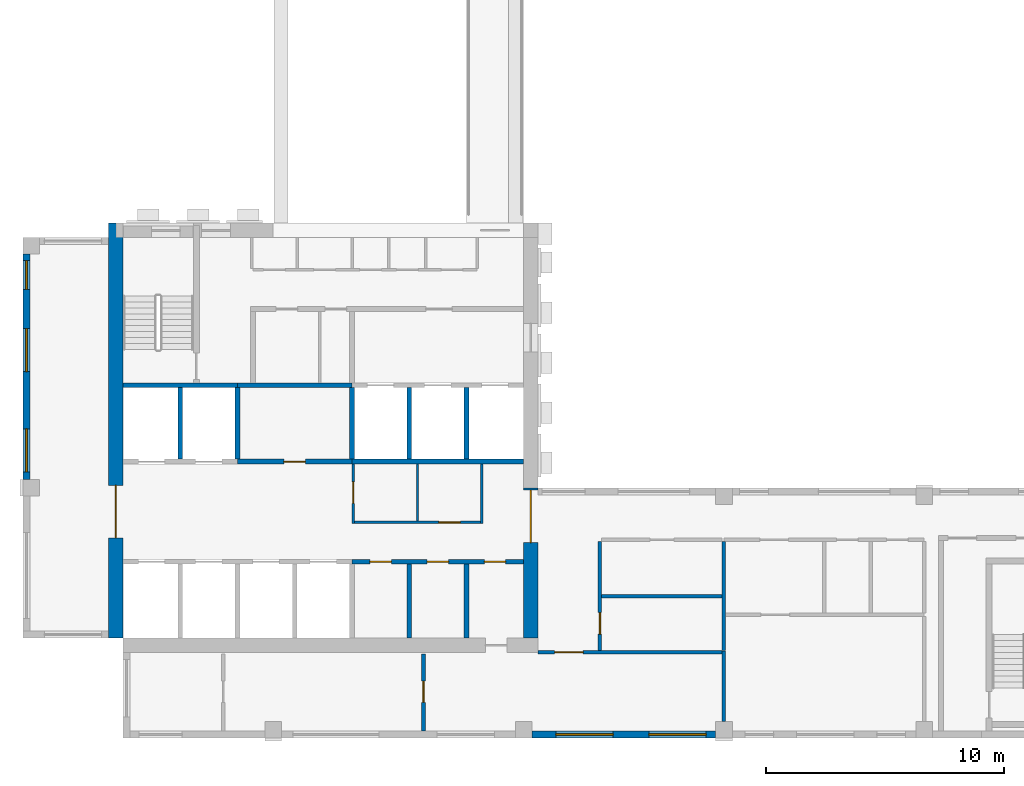
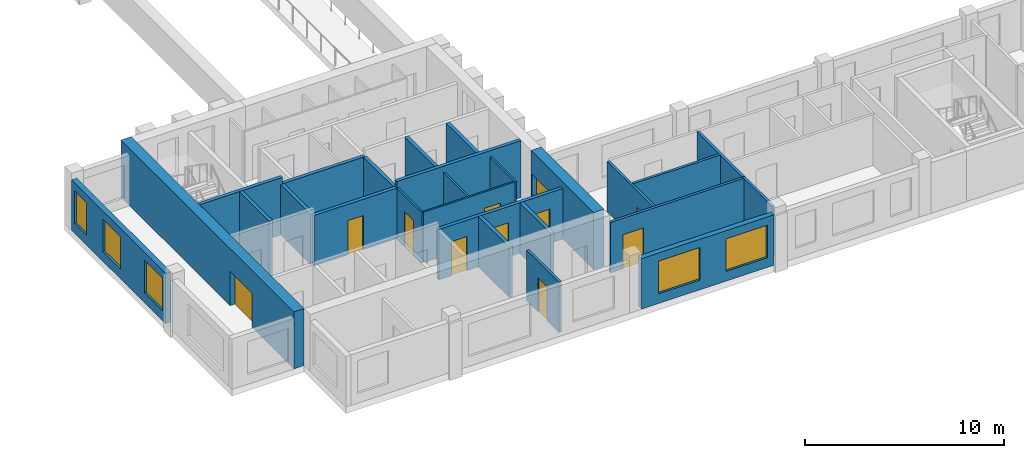
# One storey, part 2 of 9: 26 walls, 11 doors, 5 windows, 16 openings.
"""IFC4 building model written with IfcOpenShell, lengths in metres."""

from ifc_helpers import new_model, si_unit, direction, frame, frame_2d, origin, place, context, subcontext, project, spatial, rectangle, extrude, source, transform, mapped, material, layer, layer_set, type_object, element, fill, save


model = new_model("IFC4")

# Units and contexts
model_context = context("Model", 3, precision=1e-05, world=origin(), true_north=direction((0.0, 1.0)))
body_context = subcontext(model_context, "Body", "Model", "MODEL_VIEW")
ifc_project = project(units=[si_unit("LENGTHUNIT", "METRE"), si_unit("AREAUNIT", "SQUARE_METRE"), si_unit("VOLUMEUNIT", "CUBIC_METRE"), si_unit("PLANEANGLEUNIT", "RADIAN"), si_unit("MASSUNIT", "GRAM", prefix="KILO")], contexts=[model_context])

# Site, building, storey
site_placement = place(None, origin())
site = spatial("IfcSite", under=ifc_project, at=site_placement, CompositionType="ELEMENT")
building_placement = place(site_placement, origin())
building = spatial("IfcBuilding", under=site, at=building_placement, Name="Aurelian Terraces", CompositionType="ELEMENT")
storey_placement = place(building_placement, frame((0.0, 0.0, 323.0)))
storey = spatial("IfcBuildingStorey", under=building, at=storey_placement, Name="L75", CompositionType="ELEMENT", Elevation=323.0)

# Wall, opening, door
ifc_material_1 = material(Name="Concrete fc' 55 MPa", Category="concrete")
ifc_layer_1 = layer(ifc_material_1, 0.6)
ifc_layer_set_1 = layer_set([ifc_layer_1], Name="CORE WALL 600 FC55")
wall_type_1 = type_object("IfcWallType", Name="CORE WALL 600 FC55", PredefinedType="SHEAR", material=ifc_layer_set_1)
shared_shape_1 = source(origin(), body_context, "Body", "SweptSolid", [
    extrude(rectangle(XDim=17.4, YDim=0.6, at=frame_2d((8.7, 0.0))), origin(), (0.0, 0.0, 1.0), 3.5),
])
wall_1_placement = place(storey_placement, frame((3.9, 4.2, 0.0), z_axis=(0.0, 0.0, 1.0), x_axis=(0.0, 1.0, 0.0)))
wall_1 = element("IfcWall", 1, at=wall_1_placement, inside=storey, type_object=wall_type_1, Name="Core wall W L75", PredefinedType="SHEAR", context=body_context, shape_type="MappedRepresentation", body=[
    mapped(shared_shape_1, transform((0.0, 0.0, 0.0), scale=1.0)),
])
shared_shape_2 = source(origin(), body_context, "Body", "SweptSolid", [
    extrude(rectangle(XDim=2.2, YDim=2.1, at=frame_2d((1.1, 1.05))), frame((0.0, 0.31, 0.0), z_axis=(0.0, -1.0, 0.0), x_axis=(1.0, 0.0, 0.0)), (0.0, 0.0, 1.0), 0.62),
])
opening_1_placement = place(wall_1_placement, frame((4.2, 0.0, 0.0)))
opening_1 = element("IfcOpeningElement", 2, at=opening_1_placement, cuts=wall_1, Name="Opening 67831", PredefinedType="OPENING", context=body_context, shape_type="MappedRepresentation", body=[
    mapped(shared_shape_2, transform((0.0, 0.0, 0.0), scale=1.0)),
])
ifc_material_2 = material(Name="Steel door leaf", Category="steel")
door_type_1 = type_object("IfcDoorType", Name="Core double door 2200x2100", OperationType="DOUBLE_DOOR_SINGLE_SWING", PredefinedType="DOOR", material=ifc_material_2)
shared_shape_3 = source(origin(), body_context, "Body", "SweptSolid", [
    extrude(rectangle(XDim=2.2, YDim=2.1, at=frame_2d((1.1, 1.05))), frame((0.0, 0.025, 0.0), z_axis=(0.0, -1.0, 0.0), x_axis=(1.0, 0.0, 0.0)), (0.0, 0.0, 1.0), 0.05),
])
door_1_placement = place(opening_1_placement, origin())
door_1 = element("IfcDoor", 3, at=door_1_placement, inside=storey, type_object=door_type_1, Name="Core door 67831", OperationType="DOUBLE_DOOR_SINGLE_SWING", OverallHeight=2.1, OverallWidth=2.2, PredefinedType="DOOR", context=body_context, shape_type="MappedRepresentation", body=[
    mapped(shared_shape_3, transform((0.0, 0.0, 0.0), scale=1.0)),
])
fill(opening_1, door_1)

shared_shape_4 = source(origin(), body_context, "Body", "SweptSolid", [
    extrude(rectangle(XDim=6.3, YDim=0.6, at=frame_2d((3.15, 0.0))), origin(), (0.0, 0.0, 1.0), 3.5),
])
wall_2_placement = place(storey_placement, frame((21.3, 4.2, 0.0), z_axis=(0.0, 0.0, 1.0), x_axis=(0.0, 1.0, 0.0)))
wall_2 = element("IfcWall", 4, at=wall_2_placement, inside=storey, type_object=wall_type_1, Name="Core wall E L75", PredefinedType="SHEAR", context=body_context, shape_type="MappedRepresentation", body=[
    mapped(shared_shape_4, transform((0.0, 0.0, 0.0), scale=1.0)),
])
opening_2_placement = place(wall_2_placement, frame((4.0, 0.0, 0.0)))
opening_2 = element("IfcOpeningElement", 5, at=opening_2_placement, cuts=wall_2, Name="Opening 67830", PredefinedType="OPENING", context=body_context, shape_type="MappedRepresentation", body=[
    mapped(shared_shape_2, transform((0.0, 0.0, 0.0), scale=1.0)),
])
door_2_placement = place(opening_2_placement, origin())
door_2 = element("IfcDoor", 6, at=door_2_placement, inside=storey, type_object=door_type_1, Name="Core door 67830", OperationType="DOUBLE_DOOR_SINGLE_SWING", OverallHeight=2.1, OverallWidth=2.2, PredefinedType="DOOR", context=body_context, shape_type="MappedRepresentation", body=[
    mapped(shared_shape_3, transform((0.0, 0.0, 0.0), scale=1.0)),
])
fill(opening_2, door_2)

# Wall, openings, windows
ifc_material_3 = material(Name="Terracotta rainscreen cladding", Category="masonry")
ifc_layer_2 = layer(ifc_material_3, 0.3)
ifc_layer_set_2 = layer_set([ifc_layer_2], Name="EW-300")
wall_type_2 = type_object("IfcWallType", Name="EW-300", PredefinedType="STANDARD", material=ifc_layer_set_2)
shared_shape_5 = source(origin(), body_context, "Body", "SweptSolid", [
    extrude(rectangle(XDim=7.7, YDim=0.3, at=frame_2d((3.85, 0.0))), origin(), (0.0, 0.0, 1.0), 3.1),
])
wall_3_placement = place(storey_placement, frame((21.35, 0.15, 0.0), z_axis=(0.0, 0.0, 1.0), x_axis=(1.0, 0.0, 0.0)))
wall_3 = element("IfcWall", 7, at=wall_3_placement, inside=storey, type_object=wall_type_2, Name="External wall L75 F01.3", PredefinedType="STANDARD", context=body_context, shape_type="MappedRepresentation", body=[
    mapped(shared_shape_5, transform((0.0, 0.0, 0.0), scale=1.0)),
])
shared_shape_6 = source(origin(), body_context, "Body", "SweptSolid", [
    extrude(rectangle(XDim=2.4, YDim=2.0, at=frame_2d((1.2, 1.0))), frame((0.0, 0.16, 0.0), z_axis=(0.0, -1.0, 0.0), x_axis=(1.0, 0.0, 0.0)), (0.0, 0.0, 1.0), 0.32),
])
opening_3_placement = place(wall_3_placement, frame((1.0, 0.0, 0.6)))
opening_3 = element("IfcOpeningElement", 8, at=opening_3_placement, cuts=wall_3, Name="Opening W2420", PredefinedType="OPENING", context=body_context, shape_type="MappedRepresentation", body=[
    mapped(shared_shape_6, transform((0.0, 0.0, 0.0), scale=1.0)),
])
opening_4_placement = place(wall_3_placement, frame((4.9, 0.0, 0.6)))
opening_4 = element("IfcOpeningElement", 9, at=opening_4_placement, cuts=wall_3, Name="Opening W2420", PredefinedType="OPENING", context=body_context, shape_type="MappedRepresentation", body=[
    mapped(shared_shape_6, transform((0.0, 0.0, 0.0), scale=1.0)),
])
ifc_material_4 = material(Name="Clear glazing", Category="glass")
window_type_1 = type_object("IfcWindowType", Name="W-2400x2000", PartitioningType="SINGLE_PANEL", PredefinedType="WINDOW", material=ifc_material_4)
shared_shape_7 = source(origin(), body_context, "Body", "SweptSolid", [
    extrude(rectangle(XDim=2.4, YDim=2.0, at=frame_2d((1.2, 1.0))), frame((0.0, 0.03, 0.0), z_axis=(0.0, -1.0, 0.0), x_axis=(1.0, 0.0, 0.0)), (0.0, 0.0, 1.0), 0.06),
])
window_1_placement = place(opening_3_placement, origin())
window_1 = element("IfcWindow", 10, at=window_1_placement, inside=storey, type_object=window_type_1, Name="Window L75 L75-F01-03-1", OverallHeight=2.0, OverallWidth=2.4, PartitioningType="SINGLE_PANEL", PredefinedType="WINDOW", context=body_context, shape_type="MappedRepresentation", body=[
    mapped(shared_shape_7, transform((0.0, 0.0, 0.0), scale=1.0)),
])
fill(opening_3, window_1)
window_2_placement = place(opening_4_placement, origin())
window_2 = element("IfcWindow", 11, at=window_2_placement, inside=storey, type_object=window_type_1, Name="Window L75 L75-F01-03-2", OverallHeight=2.0, OverallWidth=2.4, PartitioningType="SINGLE_PANEL", PredefinedType="WINDOW", context=body_context, shape_type="MappedRepresentation", body=[
    mapped(shared_shape_7, transform((0.0, 0.0, 0.0), scale=1.0)),
])
fill(opening_4, window_2)

shared_shape_8 = source(origin(), body_context, "Body", "SweptSolid", [
    extrude(rectangle(XDim=9.45, YDim=0.3, at=frame_2d((4.725, 0.0))), origin(), (0.0, 0.0, 1.0), 3.1),
])
wall_4_placement = place(storey_placement, frame((0.15, 20.3, 0.0), z_axis=(0.0, 0.0, 1.0), x_axis=(0.0, -1.0, 0.0)))
wall_4 = element("IfcWall", 12, at=wall_4_placement, inside=storey, type_object=wall_type_2, Name="External wall L75 F12.18", PredefinedType="STANDARD", context=body_context, shape_type="MappedRepresentation", body=[
    mapped(shared_shape_8, transform((0.0, 0.0, 0.0), scale=1.0)),
])
shared_shape_9 = source(origin(), body_context, "Body", "SweptSolid", [
    extrude(rectangle(XDim=1.2, YDim=2.0, at=frame_2d((0.6, 1.0))), frame((0.0, 0.16, 0.0), z_axis=(0.0, -1.0, 0.0), x_axis=(1.0, 0.0, 0.0)), (0.0, 0.0, 1.0), 0.32),
])
opening_5_placement = place(wall_4_placement, frame((0.275, 0.0, 0.6)))
opening_5 = element("IfcOpeningElement", 13, at=opening_5_placement, cuts=wall_4, Name="Opening W1220", PredefinedType="OPENING", context=body_context, shape_type="MappedRepresentation", body=[
    mapped(shared_shape_9, transform((0.0, 0.0, 0.0), scale=1.0)),
])
shared_shape_10 = source(origin(), body_context, "Body", "SweptSolid", [
    extrude(rectangle(XDim=1.8, YDim=2.0, at=frame_2d((0.9, 1.0))), frame((0.0, 0.16, 0.0), z_axis=(0.0, -1.0, 0.0), x_axis=(1.0, 0.0, 0.0)), (0.0, 0.0, 1.0), 0.32),
])
opening_6_placement = place(wall_4_placement, frame((3.125, 0.0, 0.6)))
opening_6 = element("IfcOpeningElement", 14, at=opening_6_placement, cuts=wall_4, Name="Opening W1820", PredefinedType="OPENING", context=body_context, shape_type="MappedRepresentation", body=[
    mapped(shared_shape_10, transform((0.0, 0.0, 0.0), scale=1.0)),
])
opening_7_placement = place(wall_4_placement, frame((7.325, 0.0, 0.6)))
opening_7 = element("IfcOpeningElement", 15, at=opening_7_placement, cuts=wall_4, Name="Opening W1820", PredefinedType="OPENING", context=body_context, shape_type="MappedRepresentation", body=[
    mapped(shared_shape_10, transform((0.0, 0.0, 0.0), scale=1.0)),
])
window_type_2 = type_object("IfcWindowType", Name="W-1200x2000", PartitioningType="SINGLE_PANEL", PredefinedType="WINDOW", material=ifc_material_4)
shared_shape_11 = source(origin(), body_context, "Body", "SweptSolid", [
    extrude(rectangle(XDim=1.2, YDim=2.0, at=frame_2d((0.6, 1.0))), frame((0.0, 0.03, 0.0), z_axis=(0.0, -1.0, 0.0), x_axis=(1.0, 0.0, 0.0)), (0.0, 0.0, 1.0), 0.06),
])
window_3_placement = place(opening_5_placement, origin())
window_3 = element("IfcWindow", 16, at=window_3_placement, inside=storey, type_object=window_type_2, Name="Window L75 L75-F12-18-0", OverallHeight=2.0, OverallWidth=1.2, PartitioningType="SINGLE_PANEL", PredefinedType="WINDOW", context=body_context, shape_type="MappedRepresentation", body=[
    mapped(shared_shape_11, transform((0.0, 0.0, 0.0), scale=1.0)),
])
fill(opening_5, window_3)
window_type_3 = type_object("IfcWindowType", Name="W-1800x2000", PartitioningType="SINGLE_PANEL", PredefinedType="WINDOW", material=ifc_material_4)
shared_shape_12 = source(origin(), body_context, "Body", "SweptSolid", [
    extrude(rectangle(XDim=1.8, YDim=2.0, at=frame_2d((0.9, 1.0))), frame((0.0, 0.03, 0.0), z_axis=(0.0, -1.0, 0.0), x_axis=(1.0, 0.0, 0.0)), (0.0, 0.0, 1.0), 0.06),
])
window_4_placement = place(opening_6_placement, origin())
window_4 = element("IfcWindow", 17, at=window_4_placement, inside=storey, type_object=window_type_3, Name="Window L75 L75-F12-18-1", OverallHeight=2.0, OverallWidth=1.8, PartitioningType="SINGLE_PANEL", PredefinedType="WINDOW", context=body_context, shape_type="MappedRepresentation", body=[
    mapped(shared_shape_12, transform((0.0, 0.0, 0.0), scale=1.0)),
])
fill(opening_6, window_4)
window_5_placement = place(opening_7_placement, origin())
window_5 = element("IfcWindow", 18, at=window_5_placement, inside=storey, type_object=window_type_3, Name="Window L75 L75-F12-18-2", OverallHeight=2.0, OverallWidth=1.8, PartitioningType="SINGLE_PANEL", PredefinedType="WINDOW", context=body_context, shape_type="MappedRepresentation", body=[
    mapped(shared_shape_12, transform((0.0, 0.0, 0.0), scale=1.0)),
])
fill(opening_7, window_5)

# Walls
ifc_material_5 = material(Name="Concrete fc' 40 MPa", Category="concrete")
ifc_layer_3 = layer(ifc_material_5, 0.2)
ifc_layer_set_3 = layer_set([ifc_layer_3], Name="Lift shaft wall 200")
wall_type_3 = type_object("IfcWallType", Name="Lift shaft wall 200", PredefinedType="SOLIDWALL", material=ifc_layer_set_3)
shared_shape_13 = source(origin(), body_context, "Body", "SweptSolid", [
    extrude(rectangle(XDim=3.0, YDim=0.2, at=frame_2d((1.5, 0.0))), origin(), (0.0, 0.0, 1.0), 3.1),
])
for number, where, z_axis, x_axis, name in (
    (19, (9.0, 11.7, 0.0), (0.0, 0.0, 1.0), (0.0, 1.0, 0.0), "L75 core wall CD-B2"),
    (20, (13.8, 11.7, 0.0), (0.0, 0.0, 1.0), (0.0, 1.0, 0.0), "L75 core wall CD-B4"),
):
    element("IfcWall", number, at=place(storey_placement, frame(where, z_axis=z_axis, x_axis=x_axis)), inside=storey, type_object=wall_type_3, Name=name, PredefinedType="SOLIDWALL", context=body_context, shape_type="MappedRepresentation", body=[
        mapped(shared_shape_13, transform((0.0, 0.0, 0.0), scale=1.0)),
    ])
shared_shape_14 = source(origin(), body_context, "Body", "SweptSolid", [
    extrude(rectangle(XDim=3.0, YDim=0.2, at=frame_2d((1.5, 0.0))), origin(), (0.0, 0.0, 1.0), 3.5),
])
for number, where, z_axis, x_axis, name in (
    (21, (6.6, 11.7, 0.0), (0.0, 0.0, 1.0), (0.0, 1.0, 0.0), "L75 core wall CD-B1"),
    (22, (16.2, 11.7, 0.0), (0.0, 0.0, 1.0), (0.0, 1.0, 0.0), "L75 core wall CD-B5"),
    (23, (18.6, 11.7, 0.0), (0.0, 0.0, 1.0), (0.0, 1.0, 0.0), "L75 core wall CD-B6"),
):
    element("IfcWall", number, at=place(storey_placement, frame(where, z_axis=z_axis, x_axis=x_axis)), inside=storey, type_object=wall_type_3, Name=name, PredefinedType="SOLIDWALL", context=body_context, shape_type="MappedRepresentation", body=[
        mapped(shared_shape_14, transform((0.0, 0.0, 0.0), scale=1.0)),
    ])
shared_shape_15 = source(origin(), body_context, "Body", "SweptSolid", [
    extrude(rectangle(XDim=4.8, YDim=0.2, at=frame_2d((2.4, 0.0))), origin(), (0.0, 0.0, 1.0), 3.5),
])
wall_5_placement = place(storey_placement, frame((4.2, 14.8, 0.0), z_axis=(0.0, 0.0, 1.0), x_axis=(1.0, 0.0, 0.0)))
element("IfcWall", 24, at=wall_5_placement, inside=storey, type_object=wall_type_3, Name="L75 core wall CF-BB1", PredefinedType="SOLIDWALL", context=body_context, shape_type="MappedRepresentation", body=[
    mapped(shared_shape_15, transform((0.0, 0.0, 0.0), scale=1.0)),
])

# Wall, opening, door
shared_shape_16 = source(origin(), body_context, "Body", "SweptSolid", [
    extrude(rectangle(XDim=4.8, YDim=0.2, at=frame_2d((2.4, 0.0))), origin(), (0.0, 0.0, 1.0), 3.1),
])
wall_6_placement = place(storey_placement, frame((9.0, 11.6, 0.0), z_axis=(0.0, 0.0, 1.0), x_axis=(1.0, 0.0, 0.0)))
wall_6 = element("IfcWall", 25, at=wall_6_placement, inside=storey, type_object=wall_type_3, Name="L75 core wall CF-BF2", PredefinedType="SOLIDWALL", context=body_context, shape_type="MappedRepresentation", body=[
    mapped(shared_shape_16, transform((0.0, 0.0, 0.0), scale=1.0)),
])
shared_shape_17 = source(origin(), body_context, "Body", "SweptSolid", [
    extrude(rectangle(XDim=0.9, YDim=2.1, at=frame_2d((0.45, 1.05))), frame((0.0, 0.11, 0.0), z_axis=(0.0, -1.0, 0.0), x_axis=(1.0, 0.0, 0.0)), (0.0, 0.0, 1.0), 0.22),
])
opening_8_placement = place(wall_6_placement, frame((1.95, 0.0, 0.0)))
opening_8 = element("IfcOpeningElement", 26, at=opening_8_placement, cuts=wall_6, Name="Opening 67809", PredefinedType="OPENING", context=body_context, shape_type="MappedRepresentation", body=[
    mapped(shared_shape_17, transform((0.0, 0.0, 0.0), scale=1.0)),
])
door_type_2 = type_object("IfcDoorType", Name="Core service door 900x2100 right", OperationType="SINGLE_SWING_RIGHT", PredefinedType="DOOR", material=ifc_material_2)
shared_shape_18 = source(origin(), body_context, "Body", "SweptSolid", [
    extrude(rectangle(XDim=0.9, YDim=2.1, at=frame_2d((0.45, 1.05))), frame((0.0, 0.025, 0.0), z_axis=(0.0, -1.0, 0.0), x_axis=(1.0, 0.0, 0.0)), (0.0, 0.0, 1.0), 0.05),
])
door_3_placement = place(opening_8_placement, origin())
door_3 = element("IfcDoor", 27, at=door_3_placement, inside=storey, type_object=door_type_2, Name="Room door 67809", OperationType="SINGLE_SWING_RIGHT", OverallHeight=2.1, OverallWidth=0.9, PredefinedType="DOOR", context=body_context, shape_type="MappedRepresentation", body=[
    mapped(shared_shape_18, transform((0.0, 0.0, 0.0), scale=1.0)),
])
fill(opening_8, door_3)

# Walls
wall_7_placement = place(storey_placement, frame((9.0, 14.8, 0.0), z_axis=(0.0, 0.0, 1.0), x_axis=(1.0, 0.0, 0.0)))
element("IfcWall", 28, at=wall_7_placement, inside=storey, type_object=wall_type_3, Name="L75 core wall CF-BB2", PredefinedType="SOLIDWALL", context=body_context, shape_type="MappedRepresentation", body=[
    mapped(shared_shape_16, transform((0.0, 0.0, 0.0), scale=1.0)),
])
shared_shape_19 = source(origin(), body_context, "Body", "SweptSolid", [
    extrude(rectangle(XDim=7.2, YDim=0.2, at=frame_2d((3.6, 0.0))), origin(), (0.0, 0.0, 1.0), 3.5),
])
wall_8_placement = place(storey_placement, frame((13.8, 11.6, 0.0), z_axis=(0.0, 0.0, 1.0), x_axis=(1.0, 0.0, 0.0)))
element("IfcWall", 29, at=wall_8_placement, inside=storey, type_object=wall_type_3, Name="L75 core wall CF-BF3", PredefinedType="SOLIDWALL", context=body_context, shape_type="MappedRepresentation", body=[
    mapped(shared_shape_19, transform((0.0, 0.0, 0.0), scale=1.0)),
])
ifc_material_6 = material(Name="Gypsum board on steel studs", Category="steel")
ifc_layer_4 = layer(ifc_material_6, 0.2)
ifc_layer_set_4 = layer_set([ifc_layer_4], Name="Core partition 200")
wall_type_4 = type_object("IfcWallType", Name="Core partition 200", PredefinedType="PARTITIONING", material=ifc_layer_set_4)
shared_shape_20 = source(origin(), body_context, "Body", "SweptSolid", [
    extrude(rectangle(XDim=3.1, YDim=0.2, at=frame_2d((1.55, 0.0))), origin(), (0.0, 0.0, 1.0), 3.1),
])
for number, where, z_axis, x_axis, name in (
    (30, (16.2, 4.2, 0.0), (0.0, 0.0, 1.0), (0.0, 1.0, 0.0), "L75 core wall CS-A5"),
    (31, (18.6, 4.2, 0.0), (0.0, 0.0, 1.0), (0.0, 1.0, 0.0), "L75 core wall CS-A6"),
):
    element("IfcWall", number, at=place(storey_placement, frame(where, z_axis=z_axis, x_axis=x_axis)), inside=storey, type_object=wall_type_4, Name=name, PredefinedType="PARTITIONING", context=body_context, shape_type="MappedRepresentation", body=[
        mapped(shared_shape_20, transform((0.0, 0.0, 0.0), scale=1.0)),
    ])

# Wall, openings, doors
shared_shape_21 = source(origin(), body_context, "Body", "SweptSolid", [
    extrude(rectangle(XDim=7.2, YDim=0.2, at=frame_2d((3.6, 0.0))), origin(), (0.0, 0.0, 1.0), 3.1),
])
wall_9_placement = place(storey_placement, frame((13.8, 7.4, 0.0), z_axis=(0.0, 0.0, 1.0), x_axis=(1.0, 0.0, 0.0)))
wall_9 = element("IfcWall", 32, at=wall_9_placement, inside=storey, type_object=wall_type_3, Name="L75 core wall CF-AF2", PredefinedType="SOLIDWALL", context=body_context, shape_type="MappedRepresentation", body=[
    mapped(shared_shape_21, transform((0.0, 0.0, 0.0), scale=1.0)),
])
opening_9_placement = place(wall_9_placement, frame((0.75, 0.0, 0.0)))
opening_9 = element("IfcOpeningElement", 33, at=opening_9_placement, cuts=wall_9, Name="Opening 67804", PredefinedType="OPENING", context=body_context, shape_type="MappedRepresentation", body=[
    mapped(shared_shape_17, transform((0.0, 0.0, 0.0), scale=1.0)),
])
opening_10_placement = place(wall_9_placement, frame((3.15, 0.0, 0.0)))
opening_10 = element("IfcOpeningElement", 34, at=opening_10_placement, cuts=wall_9, Name="Opening 67805", PredefinedType="OPENING", context=body_context, shape_type="MappedRepresentation", body=[
    mapped(shared_shape_17, transform((0.0, 0.0, 0.0), scale=1.0)),
])
opening_11_placement = place(wall_9_placement, frame((5.55, 0.0, 0.0)))
opening_11 = element("IfcOpeningElement", 35, at=opening_11_placement, cuts=wall_9, Name="Opening 67806", PredefinedType="OPENING", context=body_context, shape_type="MappedRepresentation", body=[
    mapped(shared_shape_17, transform((0.0, 0.0, 0.0), scale=1.0)),
])
door_type_3 = type_object("IfcDoorType", Name="Core service door 900x2100", OperationType="SINGLE_SWING_LEFT", PredefinedType="DOOR", material=ifc_material_2)
door_4_placement = place(opening_9_placement, origin())
door_4 = element("IfcDoor", 36, at=door_4_placement, inside=storey, type_object=door_type_3, Name="Room door 67804", OperationType="SINGLE_SWING_LEFT", OverallHeight=2.1, OverallWidth=0.9, PredefinedType="DOOR", context=body_context, shape_type="MappedRepresentation", body=[
    mapped(shared_shape_18, transform((0.0, 0.0, 0.0), scale=1.0)),
])
fill(opening_9, door_4)
door_5_placement = place(opening_10_placement, origin())
door_5 = element("IfcDoor", 37, at=door_5_placement, inside=storey, type_object=door_type_2, Name="Room door 67805", OperationType="SINGLE_SWING_RIGHT", OverallHeight=2.1, OverallWidth=0.9, PredefinedType="DOOR", context=body_context, shape_type="MappedRepresentation", body=[
    mapped(shared_shape_18, transform((0.0, 0.0, 0.0), scale=1.0)),
])
fill(opening_10, door_5)
door_6_placement = place(opening_11_placement, origin())
door_6 = element("IfcDoor", 38, at=door_6_placement, inside=storey, type_object=door_type_3, Name="Room door 67806", OperationType="SINGLE_SWING_LEFT", OverallHeight=2.1, OverallWidth=0.9, PredefinedType="DOOR", context=body_context, shape_type="MappedRepresentation", body=[
    mapped(shared_shape_18, transform((0.0, 0.0, 0.0), scale=1.0)),
])
fill(opening_11, door_6)

# Wall, opening, door
ifc_layer_5 = layer(ifc_material_6, 0.1)
ifc_layer_set_5 = layer_set([ifc_layer_5], Name="Core partition 100")
wall_type_5 = type_object("IfcWallType", Name="Core partition 100", PredefinedType="PARTITIONING", material=ifc_layer_set_5)
shared_shape_22 = source(origin(), body_context, "Body", "SweptSolid", [
    extrude(rectangle(XDim=2.5, YDim=0.1, at=frame_2d((1.25, 0.0))), origin(), (0.0, 0.0, 1.0), 3.1),
])
wall_10_placement = place(storey_placement, frame((13.85, 9.0, 0.0), z_axis=(0.0, 0.0, 1.0), x_axis=(0.0, 1.0, 0.0)))
wall_10 = element("IfcWall", 39, at=wall_10_placement, inside=storey, type_object=wall_type_5, Name="L75 core wall SV-EW", PredefinedType="PARTITIONING", context=body_context, shape_type="MappedRepresentation", body=[
    mapped(shared_shape_22, transform((0.0, 0.0, 0.0), scale=1.0)),
])
shared_shape_23 = source(origin(), body_context, "Body", "SweptSolid", [
    extrude(rectangle(XDim=0.9, YDim=2.1, at=frame_2d((0.45, 1.05))), frame((0.0, 0.06, 0.0), z_axis=(0.0, -1.0, 0.0), x_axis=(1.0, 0.0, 0.0)), (0.0, 0.0, 1.0), 0.12),
])
opening_12_placement = place(wall_10_placement, frame((0.85, 0.0, 0.0)))
opening_12 = element("IfcOpeningElement", 40, at=opening_12_placement, cuts=wall_10, Name="Opening 67823", PredefinedType="OPENING", context=body_context, shape_type="MappedRepresentation", body=[
    mapped(shared_shape_23, transform((0.0, 0.0, 0.0), scale=1.0)),
])
door_7_placement = place(opening_12_placement, origin())
door_7 = element("IfcDoor", 41, at=door_7_placement, inside=storey, type_object=door_type_2, Name="Room door 67823", OperationType="SINGLE_SWING_RIGHT", OverallHeight=2.1, OverallWidth=0.9, PredefinedType="DOOR", context=body_context, shape_type="MappedRepresentation", body=[
    mapped(shared_shape_18, transform((0.0, 0.0, 0.0), scale=1.0)),
])
fill(opening_12, door_7)

# Walls
wall_11_placement = place(storey_placement, frame((19.25, 9.0, 0.0), z_axis=(0.0, 0.0, 1.0), x_axis=(0.0, 1.0, 0.0)))
element("IfcWall", 42, at=wall_11_placement, inside=storey, type_object=wall_type_5, Name="L75 core wall SV-EE", PredefinedType="PARTITIONING", context=body_context, shape_type="MappedRepresentation", body=[
    mapped(shared_shape_22, transform((0.0, 0.0, 0.0), scale=1.0)),
])
shared_shape_24 = source(origin(), body_context, "Body", "SweptSolid", [
    extrude(rectangle(XDim=2.4, YDim=0.1, at=frame_2d((1.2, 0.0))), origin(), (0.0, 0.0, 1.0), 3.1),
])
wall_12_placement = place(storey_placement, frame((16.55, 9.1, 0.0), z_axis=(0.0, 0.0, 1.0), x_axis=(0.0, 1.0, 0.0)))
element("IfcWall", 43, at=wall_12_placement, inside=storey, type_object=wall_type_5, Name="L75 core wall SV-EP", PredefinedType="PARTITIONING", context=body_context, shape_type="MappedRepresentation", body=[
    mapped(shared_shape_24, transform((0.0, 0.0, 0.0), scale=1.0)),
])

# Wall, opening, door
shared_shape_25 = source(origin(), body_context, "Body", "SweptSolid", [
    extrude(rectangle(XDim=5.4, YDim=0.1, at=frame_2d((2.7, 0.0))), origin(), (0.0, 0.0, 1.0), 3.1),
])
wall_13_placement = place(storey_placement, frame((13.8, 9.05, 0.0), z_axis=(0.0, 0.0, 1.0), x_axis=(1.0, 0.0, 0.0)))
wall_13 = element("IfcWall", 44, at=wall_13_placement, inside=storey, type_object=wall_type_5, Name="L75 core wall SV-ES", PredefinedType="PARTITIONING", context=body_context, shape_type="MappedRepresentation", body=[
    mapped(shared_shape_25, transform((0.0, 0.0, 0.0), scale=1.0)),
])
opening_13_placement = place(wall_13_placement, frame((3.65, 0.0, 0.0)))
opening_13 = element("IfcOpeningElement", 45, at=opening_13_placement, cuts=wall_13, Name="Opening 67822", PredefinedType="OPENING", context=body_context, shape_type="MappedRepresentation", body=[
    mapped(shared_shape_23, transform((0.0, 0.0, 0.0), scale=1.0)),
])
door_8_placement = place(opening_13_placement, origin())
door_8 = element("IfcDoor", 46, at=door_8_placement, inside=storey, type_object=door_type_3, Name="Room door 67822", OperationType="SINGLE_SWING_LEFT", OverallHeight=2.1, OverallWidth=0.9, PredefinedType="DOOR", context=body_context, shape_type="MappedRepresentation", body=[
    mapped(shared_shape_18, transform((0.0, 0.0, 0.0), scale=1.0)),
])
fill(opening_13, door_8)

ifc_layer_6 = layer(ifc_material_6, 0.15)
ifc_layer_set_6 = layer_set([ifc_layer_6], Name="Partition 150")
wall_type_6 = type_object("IfcWallType", Name="Partition 150", PredefinedType="PARTITIONING", material=ifc_layer_set_6)
shared_shape_26 = source(origin(), body_context, "Body", "SweptSolid", [
    extrude(rectangle(XDim=4.575, YDim=0.15, at=frame_2d((2.2875, 0.0))), origin(), (0.0, 0.0, 1.0), 3.1),
])
wall_14_placement = place(storey_placement, frame((24.2, 8.25, 0.0), z_axis=(0.0, 0.0, 1.0), x_axis=(0.0, -1.0, 0.0)))
wall_14 = element("IfcWall", 47, at=wall_14_placement, inside=storey, type_object=wall_type_6, Name="Partition", PredefinedType="PARTITIONING", context=body_context, shape_type="MappedRepresentation", body=[
    mapped(shared_shape_26, transform((0.0, 0.0, 0.0), scale=1.0)),
])
shared_shape_27 = source(origin(), body_context, "Body", "SweptSolid", [
    extrude(rectangle(XDim=0.9, YDim=2.1, at=frame_2d((0.45, 1.05))), frame((0.0, 0.085, 0.0), z_axis=(0.0, -1.0, 0.0), x_axis=(1.0, 0.0, 0.0)), (0.0, 0.0, 1.0), 0.17),
])
opening_14_placement = place(wall_14_placement, frame((2.981, 0.0, 0.0)))
opening_14 = element("IfcOpeningElement", 48, at=opening_14_placement, cuts=wall_14, Name="Opening 775002", PredefinedType="OPENING", context=body_context, shape_type="MappedRepresentation", body=[
    mapped(shared_shape_27, transform((0.0, 0.0, 0.0), scale=1.0)),
])
ifc_material_7 = material(Name="Timber door leaf", Category="wood")
door_type_4 = type_object("IfcDoorType", Name="Room door 900x2100 left", OperationType="SINGLE_SWING_LEFT", PredefinedType="DOOR", material=ifc_material_7)
door_9_placement = place(opening_14_placement, origin())
door_9 = element("IfcDoor", 49, at=door_9_placement, inside=storey, type_object=door_type_4, Name="Door 775002", OperationType="SINGLE_SWING_LEFT", OverallHeight=2.1, OverallWidth=0.9, PredefinedType="DOOR", context=body_context, shape_type="MappedRepresentation", body=[
    mapped(shared_shape_18, transform((0.0, 0.0, 0.0), scale=1.0)),
])
fill(opening_14, door_9)

# Wall
wall_15_placement = place(storey_placement, frame((29.4, 3.675, 0.0), z_axis=(0.0, 0.0, 1.0), x_axis=(0.0, 1.0, 0.0)))
element("IfcWall", 50, at=wall_15_placement, inside=storey, type_object=wall_type_6, Name="Partition", PredefinedType="PARTITIONING", context=body_context, shape_type="MappedRepresentation", body=[
    mapped(shared_shape_26, transform((0.0, 0.0, 0.0), scale=1.0)),
])

# Wall, opening, door
shared_shape_28 = source(origin(), body_context, "Body", "SweptSolid", [
    extrude(rectangle(XDim=7.725, YDim=0.15, at=frame_2d((3.8625, 0.0))), origin(), (0.0, 0.0, 1.0), 3.1),
])
wall_16_placement = place(storey_placement, frame((21.6, 3.6, 0.0), z_axis=(0.0, 0.0, 1.0), x_axis=(1.0, 0.0, 0.0)))
wall_16 = element("IfcWall", 51, at=wall_16_placement, inside=storey, type_object=wall_type_6, Name="Partition", PredefinedType="PARTITIONING", context=body_context, shape_type="MappedRepresentation", body=[
    mapped(shared_shape_28, transform((0.0, 0.0, 0.0), scale=1.0)),
])
shared_shape_29 = source(origin(), body_context, "Body", "SweptSolid", [
    extrude(rectangle(XDim=1.2, YDim=2.1, at=frame_2d((0.6, 1.05))), frame((0.0, 0.085, 0.0), z_axis=(0.0, -1.0, 0.0), x_axis=(1.0, 0.0, 0.0)), (0.0, 0.0, 1.0), 0.17),
])
opening_15_placement = place(wall_16_placement, frame((0.7, 0.0, 0.0)))
opening_15 = element("IfcOpeningElement", 52, at=opening_15_placement, cuts=wall_16, Name="Opening 775005", PredefinedType="OPENING", context=body_context, shape_type="MappedRepresentation", body=[
    mapped(shared_shape_29, transform((0.0, 0.0, 0.0), scale=1.0)),
])
door_type_5 = type_object("IfcDoorType", Name="Room door 1200x2100 left", OperationType="SINGLE_SWING_LEFT", PredefinedType="DOOR", material=ifc_material_7)
shared_shape_30 = source(origin(), body_context, "Body", "SweptSolid", [
    extrude(rectangle(XDim=1.2, YDim=2.1, at=frame_2d((0.6, 1.05))), frame((0.0, 0.025, 0.0), z_axis=(0.0, -1.0, 0.0), x_axis=(1.0, 0.0, 0.0)), (0.0, 0.0, 1.0), 0.05),
])
door_10_placement = place(opening_15_placement, origin())
door_10 = element("IfcDoor", 53, at=door_10_placement, inside=storey, type_object=door_type_5, Name="Door 775005", OperationType="SINGLE_SWING_LEFT", OverallHeight=2.1, OverallWidth=1.2, PredefinedType="DOOR", context=body_context, shape_type="MappedRepresentation", body=[
    mapped(shared_shape_30, transform((0.0, 0.0, 0.0), scale=1.0)),
])
fill(opening_15, door_10)

# Wall
ifc_layer_7 = layer(ifc_material_6, 0.15)
ifc_layer_set_7 = layer_set([ifc_layer_7], Name="Fire partition 150")
wall_type_7 = type_object("IfcWallType", Name="Fire partition 150", PredefinedType="PARTITIONING", material=ifc_layer_set_7)
shared_shape_31 = source(origin(), body_context, "Body", "SweptSolid", [
    extrude(rectangle(XDim=2.956, YDim=0.15, at=frame_2d((1.478, 0.0))), origin(), (0.0, 0.0, 1.0), 3.1),
])
wall_17_placement = place(storey_placement, frame((29.4, 0.699, 0.0), z_axis=(0.0, 0.0, 1.0), x_axis=(0.0, 1.0, 0.0)))
element("IfcWall", 54, at=wall_17_placement, inside=storey, type_object=wall_type_7, Name="Party wall", PredefinedType="PARTITIONING", context=body_context, shape_type="MappedRepresentation", body=[
    mapped(shared_shape_31, transform((0.0, 0.0, 0.0), scale=1.0)),
])

# Wall, opening, door
shared_shape_32 = source(origin(), body_context, "Body", "SweptSolid", [
    extrude(rectangle(XDim=3.225, YDim=0.15, at=frame_2d((1.6125, 0.0))), origin(), (0.0, 0.0, 1.0), 3.1),
])
wall_18_placement = place(storey_placement, frame((16.8, 3.525, 0.0), z_axis=(0.0, 0.0, 1.0), x_axis=(0.0, -1.0, 0.0)))
wall_18 = element("IfcWall", 55, at=wall_18_placement, inside=storey, type_object=wall_type_6, Name="Partition", PredefinedType="PARTITIONING", context=body_context, shape_type="MappedRepresentation", body=[
    mapped(shared_shape_32, transform((0.0, 0.0, 0.0), scale=1.0)),
])
opening_16_placement = place(wall_18_placement, frame((1.125, 0.0, 0.0)))
opening_16 = element("IfcOpeningElement", 56, at=opening_16_placement, cuts=wall_18, Name="Opening 775004", PredefinedType="OPENING", context=body_context, shape_type="MappedRepresentation", body=[
    mapped(shared_shape_27, transform((0.0, 0.0, 0.0), scale=1.0)),
])
door_type_6 = type_object("IfcDoorType", Name="Room door 900x2100 right", OperationType="SINGLE_SWING_RIGHT", PredefinedType="DOOR", material=ifc_material_7)
door_11_placement = place(opening_16_placement, origin())
door_11 = element("IfcDoor", 57, at=door_11_placement, inside=storey, type_object=door_type_6, Name="Door 775004", OperationType="SINGLE_SWING_RIGHT", OverallHeight=2.1, OverallWidth=0.9, PredefinedType="DOOR", context=body_context, shape_type="MappedRepresentation", body=[
    mapped(shared_shape_18, transform((0.0, 0.0, 0.0), scale=1.0)),
])
fill(opening_16, door_11)

# Wall
shared_shape_33 = source(origin(), body_context, "Body", "SweptSolid", [
    extrude(rectangle(XDim=5.05, YDim=0.15, at=frame_2d((2.525, 0.0))), origin(), (0.0, 0.0, 1.0), 3.1),
])
wall_19_placement = place(storey_placement, frame((29.325, 5.963, 0.0), z_axis=(0.0, 0.0, 1.0), x_axis=(-1.0, 0.0, 0.0)))
element("IfcWall", 58, at=wall_19_placement, inside=storey, type_object=wall_type_6, Name="Partition", PredefinedType="PARTITIONING", context=body_context, shape_type="MappedRepresentation", body=[
    mapped(shared_shape_33, transform((0.0, 0.0, 0.0), scale=1.0)),
])

save(model, "model.ifc")
